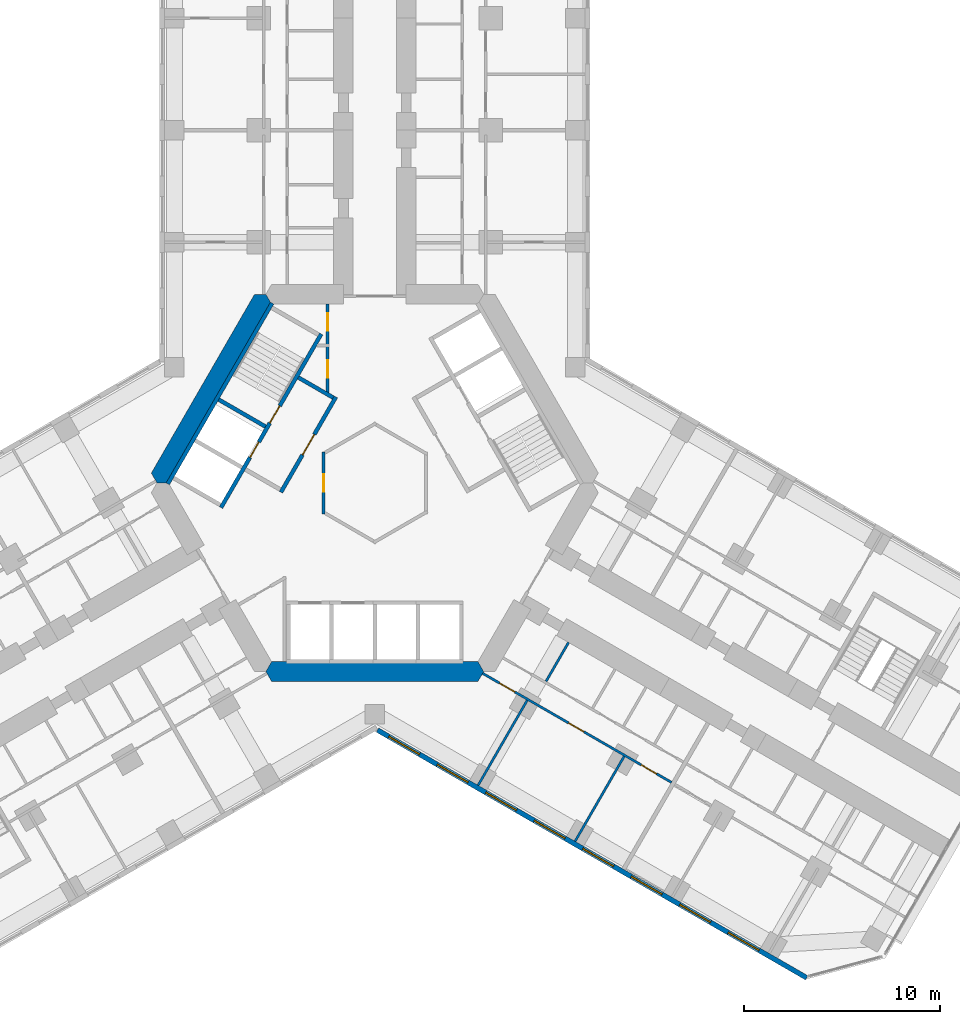
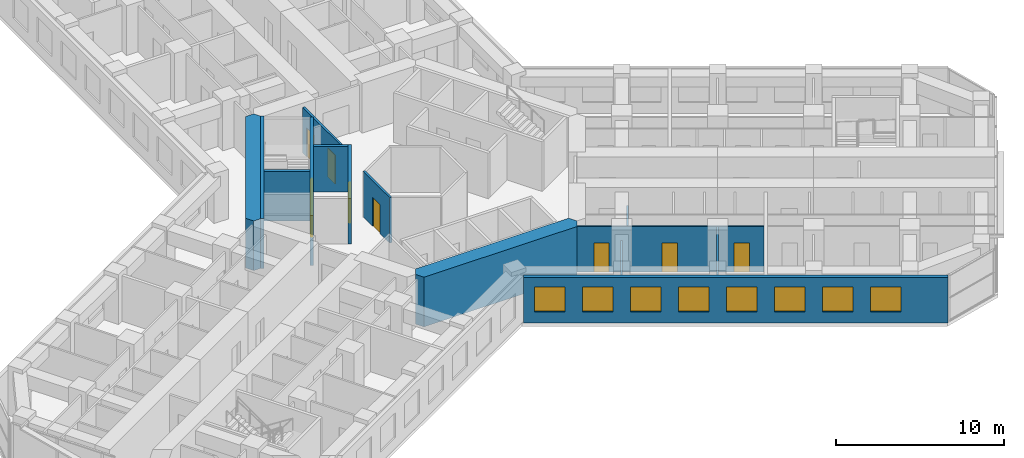
# One storey, part 13 of 21: 14 walls, 9 doors, 8 windows, 17 openings.
"""IFC4 building model written with IfcOpenShell, lengths in metres."""

from ifc_helpers import new_model, si_unit, direction, frame, frame_2d, origin, place, context, subcontext, project, spatial, polyline, rectangle, outline, extrude, material, layer, layer_set, type_object, element, fill, save


model = new_model("IFC4")

# Units and contexts
model_context = context("Model", 3, precision=1e-05, world=origin(), true_north=direction((0.0, 1.0)))
body_context = subcontext(model_context, "Body", "Model", "MODEL_VIEW")
ifc_project = project(units=[si_unit("LENGTHUNIT", "METRE"), si_unit("AREAUNIT", "SQUARE_METRE"), si_unit("VOLUMEUNIT", "CUBIC_METRE"), si_unit("PLANEANGLEUNIT", "RADIAN"), si_unit("MASSUNIT", "GRAM", prefix="KILO")], contexts=[model_context])

# Site, building, storey
site_placement = place(None, origin())
site = spatial("IfcSite", under=ifc_project, at=site_placement, CompositionType="ELEMENT")
building_placement = place(site_placement, origin())
building = spatial("IfcBuilding", under=site, at=building_placement, Name="Kosmar Iwan School Tower", CompositionType="ELEMENT")
storey_placement = place(building_placement, frame((0.0, 0.0, 109.60009765625)))
storey = spatial("IfcBuildingStorey", under=building, at=storey_placement, Name="L27", CompositionType="ELEMENT", Elevation=109.60009765625)

# Wall, openings, doors
ifc_material_1 = material(Name="Gypsum board on steel studs, fire-rated", Category="steel")
ifc_layer_1 = layer(ifc_material_1, 0.14990234375)
ifc_layer_set_1 = layer_set([ifc_layer_1], Name="Core room partition 150")
wall_type_1 = type_object("IfcWallType", Name="Core room partition 150", PredefinedType="PARTITIONING", material=ifc_layer_set_1)
wall_1_placement = place(storey_placement, frame((-2.39990234375, 9.094970703125, 0.0), z_axis=(0.0, 0.0, 1.0), x_axis=(0.0, -1.0, 0.0)))
wall_1 = element("IfcWall", 1, at=wall_1_placement, inside=storey, type_object=wall_type_1, Name="Core room partition L27-CW1", PredefinedType="PARTITIONING", context=body_context, shape_type="SweptSolid", body=[
    extrude(rectangle(XDim=4.564208984375, YDim=0.14990234375, at=frame_2d((2.2822265625, 0.0))), origin(), (0.0, 0.0, 1.0), 3.2998046875),
])
opening_1_placement = place(wall_1_placement, frame((0.455078125, 0.0, 0.0)))
opening_1 = element("IfcOpeningElement", 2, at=opening_1_placement, cuts=wall_1, Name="Opening D14", PredefinedType="OPENING", context=body_context, shape_type="SweptSolid", body=[
    extrude(rectangle(XDim=0.89990234375, YDim=2.10009765625, at=frame_2d((0.449951171875, 1.050048828125))), frame((0.0, 0.0869140625, 0.0), z_axis=(0.0, -1.0, 0.0), x_axis=(1.0, 0.0, 0.0)), (0.0, 0.0, 1.0), 0.173828125),
])
opening_2_placement = place(wall_1_placement, frame((2.85498046875, 0.0, 0.0)))
opening_2 = element("IfcOpeningElement", 3, at=opening_2_placement, cuts=wall_1, Name="Opening D14", PredefinedType="OPENING", context=body_context, shape_type="SweptSolid", body=[
    extrude(rectangle(XDim=0.89990234375, YDim=2.10009765625, at=frame_2d((0.449951171875, 1.050048828125))), frame((0.0, 0.0869140625, 0.0), z_axis=(0.0, -1.0, 0.0), x_axis=(1.0, 0.0, 0.0)), (0.0, 0.0, 1.0), 0.173828125),
])
ifc_material_2 = material(Name="Timber fire door in steel frame", Category="steel")
door_type_1 = type_object("IfcDoorType", Name="Core room door 900x2100", OperationType="SINGLE_SWING_LEFT", PredefinedType="DOOR", material=ifc_material_2)
door_1_placement = place(opening_1_placement, origin())
door_1 = element("IfcDoor", 4, at=door_1_placement, inside=storey, type_object=door_type_1, Name="Electrical riser and switch room door L27 1", OperationType="SINGLE_SWING_LEFT", OverallHeight=2.10009765625, OverallWidth=0.89990234375, PredefinedType="DOOR", context=body_context, shape_type="SweptSolid", body=[
    extrude(rectangle(XDim=0.89990234375, YDim=2.10009765625, at=frame_2d((0.449951171875, 1.050048828125))), frame((0.0, 0.02490234375, 0.0), z_axis=(0.0, -1.0, 0.0), x_axis=(1.0, 0.0, 0.0)), (0.0, 0.0, 1.0), 0.050048828125),
])
fill(opening_1, door_1)
door_2_placement = place(opening_2_placement, origin())
door_2 = element("IfcDoor", 5, at=door_2_placement, inside=storey, type_object=door_type_1, Name="Plumbing and wet riser door L27 2", OperationType="SINGLE_SWING_RIGHT", OverallHeight=2.10009765625, OverallWidth=0.89990234375, PredefinedType="DOOR", context=body_context, shape_type="SweptSolid", body=[
    extrude(rectangle(XDim=0.89990234375, YDim=2.10009765625, at=frame_2d((0.449951171875, 1.050048828125))), frame((0.0, 0.02490234375, 0.0), z_axis=(0.0, -1.0, 0.0), x_axis=(1.0, 0.0, 0.0)), (0.0, 0.0, 1.0), 0.050048828125),
])
fill(opening_2, door_2)

# Wall, opening, door
wall_2_placement = place(storey_placement, frame((-2.60009765625, -1.576171875, 0.0), z_axis=(0.0, 0.0, 1.0), x_axis=(0.0, 1.0, 0.0)))
wall_2 = element("IfcWall", 6, at=wall_2_placement, inside=storey, type_object=wall_type_1, Name="Core room partition L27-CW6", PredefinedType="PARTITIONING", context=body_context, shape_type="SweptSolid", body=[
    extrude(rectangle(XDim=3.15234375, YDim=0.14990234375, at=frame_2d((1.576171875, 0.0))), origin(), (0.0, 0.0, 1.0), 3.2998046875),
])
opening_3_placement = place(wall_2_placement, frame((1.1259765625, 0.0, 0.0)))
opening_3 = element("IfcOpeningElement", 7, at=opening_3_placement, cuts=wall_2, Name="Opening D14", PredefinedType="OPENING", context=body_context, shape_type="SweptSolid", body=[
    extrude(rectangle(XDim=0.89990234375, YDim=2.10009765625, at=frame_2d((0.449951171875, 1.050048828125))), frame((0.0, 0.0869140625, 0.0), z_axis=(0.0, -1.0, 0.0), x_axis=(1.0, 0.0, 0.0)), (0.0, 0.0, 1.0), 0.173828125),
])
door_3_placement = place(opening_3_placement, origin())
door_3 = element("IfcDoor", 8, at=door_3_placement, inside=storey, type_object=door_type_1, Name="Parcel room door L27 3", OperationType="SINGLE_SWING_RIGHT", OverallHeight=2.10009765625, OverallWidth=0.89990234375, PredefinedType="DOOR", context=body_context, shape_type="SweptSolid", body=[
    extrude(rectangle(XDim=0.89990234375, YDim=2.10009765625, at=frame_2d((0.449951171875, 1.050048828125))), frame((0.0, 0.02490234375, 0.0), z_axis=(0.0, -1.0, 0.0), x_axis=(1.0, 0.0, 0.0)), (0.0, 0.0, 1.0), 0.050048828125),
])
fill(opening_3, door_3)

# Walls
ifc_material_3 = material(Name="Concrete C50/60", Category="concrete")
ifc_layer_2 = layer(ifc_material_3, 1.0)
ifc_layer_set_2 = layer_set([ifc_layer_2], Name="Core wall 1000")
wall_type_2 = type_object("IfcWallType", Name="Core wall 1000", PredefinedType="SHEAR", material=ifc_layer_set_2)
wall_3_placement = place(storey_placement, origin())
element("IfcWall", 9, at=wall_3_placement, inside=storey, type_object=wall_type_2, Name="Core wall F150", PredefinedType="SHEAR", context=body_context, shape_type="SweptSolid", body=[
    extrude(outline(polyline([(-11.085205078125, 0.0), (-10.5078125, 0.0), (-5.25390625, 9.10009765625), (-5.54248046875, 9.60009765625), (-6.119873046875, 9.60009765625), (-11.373779296875, 0.5), (-11.085205078125, 0.0)])), origin(), (0.0, 0.0, 1.0), 3.599853515625),
])
wall_4_placement = place(storey_placement, origin())
element("IfcWall", 10, at=wall_4_placement, inside=storey, type_object=wall_type_2, Name="Core wall F270", PredefinedType="SHEAR", context=body_context, shape_type="SweptSolid", body=[
    extrude(outline(polyline([(-5.25390625, -10.10009765625), (5.25390625, -10.10009765625), (5.54248046875, -9.60009765625), (5.25390625, -9.10009765625), (-5.25390625, -9.10009765625), (-5.54248046875, -9.60009765625), (-5.25390625, -10.10009765625)])), origin(), (0.0, 0.0, 1.0), 3.599853515625),
])

# Wall, openings, doors
ifc_material_4 = material(Name="Gypsum board on steel studs", Category="steel")
ifc_layer_3 = layer(ifc_material_4, 0.1201171875)
ifc_layer_set_3 = layer_set([ifc_layer_3], Name="Dwelling partition 120")
wall_type_3 = type_object("IfcWallType", Name="Dwelling partition 120", PredefinedType="PARTITIONING", material=ifc_layer_set_3)
wall_5_placement = place(storey_placement, frame((5.48876953125, -9.693115234375, 0.0), z_axis=(0.0, 0.0, 1.0), x_axis=(0.866026992824, -0.499997247692, 0.0)))
wall_5 = element("IfcWall", 11, at=wall_5_placement, inside=storey, type_object=wall_type_3, Name="Partition L27-CR1-W2", PredefinedType="PARTITIONING", context=body_context, shape_type="SweptSolid", body=[
    extrude(rectangle(XDim=11.10009765625, YDim=0.1201171875, at=frame_2d((5.550048828125, 0.0))), origin(), (0.0, 0.0, 1.0), 3.2998046875),
])
opening_4_placement = place(wall_5_placement, frame((1.0, 0.0, 0.0)))
opening_4 = element("IfcOpeningElement", 12, at=opening_4_placement, cuts=wall_5, Name="Opening D2", PredefinedType="OPENING", context=body_context, shape_type="SweptSolid", body=[
    extrude(rectangle(XDim=0.89990234375, YDim=2.10009765625, at=frame_2d((0.449951171875, 1.050048828125))), frame((0.0, 0.072021484375, 0.0), z_axis=(0.0, -1.0, 0.0), x_axis=(1.0, 0.0, 0.0)), (0.0, 0.0, 1.0), 0.14404296875),
])
opening_5_placement = place(wall_5_placement, frame((5.050048828125, 0.0, 0.0)))
opening_5 = element("IfcOpeningElement", 13, at=opening_5_placement, cuts=wall_5, Name="Opening D2", PredefinedType="OPENING", context=body_context, shape_type="SweptSolid", body=[
    extrude(rectangle(XDim=0.89990234375, YDim=2.10009765625, at=frame_2d((0.449951171875, 1.050048828125))), frame((0.0, 0.072021484375, 0.0), z_axis=(0.0, -1.0, 0.0), x_axis=(1.0, 0.0, 0.0)), (0.0, 0.0, 1.0), 0.14404296875),
])
opening_6_placement = place(wall_5_placement, frame((9.324951171875, 0.0, 0.0)))
opening_6 = element("IfcOpeningElement", 14, at=opening_6_placement, cuts=wall_5, Name="Opening D2", PredefinedType="OPENING", context=body_context, shape_type="SweptSolid", body=[
    extrude(rectangle(XDim=0.89990234375, YDim=2.10009765625, at=frame_2d((0.449951171875, 1.050048828125))), frame((0.0, 0.072021484375, 0.0), z_axis=(0.0, -1.0, 0.0), x_axis=(1.0, 0.0, 0.0)), (0.0, 0.0, 1.0), 0.14404296875),
])
ifc_material_5 = material(Name="Timber door in timber frame", Category="wood")
door_type_2 = type_object("IfcDoorType", Name="Internal door 900x2100", OperationType="SINGLE_SWING_LEFT", PredefinedType="DOOR", material=ifc_material_5)
door_4_placement = place(opening_4_placement, origin())
door_4 = element("IfcDoor", 15, at=door_4_placement, inside=storey, type_object=door_type_2, Name="Bedroom 1 door L27-CR1-F1", OperationType="SINGLE_SWING_LEFT", OverallHeight=2.10009765625, OverallWidth=0.89990234375, PredefinedType="DOOR", context=body_context, shape_type="SweptSolid", body=[
    extrude(rectangle(XDim=0.89990234375, YDim=2.10009765625, at=frame_2d((0.449951171875, 1.050048828125))), frame((0.0, 0.02490234375, 0.0), z_axis=(0.0, -1.0, 0.0), x_axis=(1.0, 0.0, 0.0)), (0.0, 0.0, 1.0), 0.050048828125),
])
fill(opening_4, door_4)
door_5_placement = place(opening_5_placement, origin())
door_5 = element("IfcDoor", 16, at=door_5_placement, inside=storey, type_object=door_type_2, Name="Living room and kitchen door L27-CR1-F2", OperationType="SINGLE_SWING_LEFT", OverallHeight=2.10009765625, OverallWidth=0.89990234375, PredefinedType="DOOR", context=body_context, shape_type="SweptSolid", body=[
    extrude(rectangle(XDim=0.89990234375, YDim=2.10009765625, at=frame_2d((0.449951171875, 1.050048828125))), frame((0.0, 0.02490234375, 0.0), z_axis=(0.0, -1.0, 0.0), x_axis=(1.0, 0.0, 0.0)), (0.0, 0.0, 1.0), 0.050048828125),
])
fill(opening_5, door_5)
door_6_placement = place(opening_6_placement, origin())
door_6 = element("IfcDoor", 17, at=door_6_placement, inside=storey, type_object=door_type_2, Name="Study door L27-CR1-F3", OperationType="SINGLE_SWING_RIGHT", OverallHeight=2.10009765625, OverallWidth=0.89990234375, PredefinedType="DOOR", context=body_context, shape_type="SweptSolid", body=[
    extrude(rectangle(XDim=0.89990234375, YDim=2.10009765625, at=frame_2d((0.449951171875, 1.050048828125))), frame((0.0, 0.02490234375, 0.0), z_axis=(0.0, -1.0, 0.0), x_axis=(1.0, 0.0, 0.0)), (0.0, 0.0, 1.0), 0.050048828125),
])
fill(opening_6, door_6)

# Walls
wall_6_placement = place(storey_placement, frame((7.75390625, -11.070068359375, 0.0), z_axis=(0.0, 0.0, 1.0), x_axis=(-0.500033033937, -0.866006330792, 0.0)))
element("IfcWall", 18, at=wall_6_placement, inside=storey, type_object=wall_type_3, Name="Partition L27-CR1-X1", PredefinedType="PARTITIONING", context=body_context, shape_type="SweptSolid", body=[
    extrude(rectangle(XDim=4.989990234375, YDim=0.1201171875, at=frame_2d((2.4951171875, 0.0))), origin(), (0.0, 0.0, 1.0), 2.2998046875),
])
wall_7_placement = place(storey_placement, frame((12.690185546875, -13.919921875, 0.0), z_axis=(0.0, 0.0, 1.0), x_axis=(-0.500011847778, -0.866018563358, 0.0)))
element("IfcWall", 19, at=wall_7_placement, inside=storey, type_object=wall_type_3, Name="Partition L27-CR1-X2", PredefinedType="PARTITIONING", context=body_context, shape_type="SweptSolid", body=[
    extrude(rectangle(XDim=4.990234375, YDim=0.1201171875, at=frame_2d((2.4951171875, 0.0))), origin(), (0.0, 0.0, 1.0), 3.2998046875),
])
wall_8_placement = place(storey_placement, frame((9.86181640625, -8.11865234375, 0.0), z_axis=(0.0, 0.0, 1.0), x_axis=(-0.500014693593, -0.866016920268, 0.0)))
element("IfcWall", 20, at=wall_8_placement, inside=storey, type_object=wall_type_3, Name="Partition L27-CR1-Y1", PredefinedType="PARTITIONING", context=body_context, shape_type="SweptSolid", body=[
    extrude(rectangle(XDim=2.2900390625, YDim=0.1201171875, at=frame_2d((1.14501953125, 0.0))), origin(), (0.0, 0.0, 1.0), 2.2998046875),
])

# Wall, openings, windows
ifc_material_6 = material(Name="Black aluminium rainscreen on insulated framing", Category="aluminium")
ifc_layer_4 = layer(ifc_material_6, 0.25)
ifc_layer_set_4 = layer_set([ifc_layer_4], Name="External wall rainscreen 250")
wall_type_4 = type_object("IfcWallType", Name="External wall rainscreen 250", PredefinedType="SOLIDWALL", material=ifc_layer_set_4)
wall_9_placement = place(storey_placement, frame((0.137939453125, -12.5791015625, 0.0), z_axis=(0.0, 0.0, 1.0), x_axis=(0.866023775649, -0.500002820003, 0.0)))
wall_9 = element("IfcWall", 21, at=wall_9_placement, inside=storey, type_object=wall_type_4, Name="External wall CR L27", PredefinedType="SOLIDWALL", context=body_context, shape_type="SweptSolid", body=[
    extrude(rectangle(XDim=25.226318359375, YDim=0.25, at=frame_2d((12.61328125, 0.0))), origin(), (0.0, 0.0, 1.0), 3.2998046875),
])
opening_7_placement = place(wall_9_placement, frame((0.666015625, 0.0, 0.800048828125)))
opening_7 = element("IfcOpeningElement", 22, at=opening_7_placement, cuts=wall_9, Name="Opening W1", PredefinedType="OPENING", context=body_context, shape_type="SweptSolid", body=[
    extrude(rectangle(XDim=1.800048828125, YDim=1.800048828125, at=frame_2d((0.89990234375, 0.89990234375))), frame((0.0, 0.136962890625, 0.0), z_axis=(0.0, -1.0, 0.0), x_axis=(1.0, 0.0, 0.0)), (0.0, 0.0, 1.0), 0.27392578125),
])
opening_8_placement = place(wall_9_placement, frame((3.51611328125, 0.0, 0.800048828125)))
opening_8 = element("IfcOpeningElement", 23, at=opening_8_placement, cuts=wall_9, Name="Opening W1", PredefinedType="OPENING", context=body_context, shape_type="SweptSolid", body=[
    extrude(rectangle(XDim=1.800048828125, YDim=1.800048828125, at=frame_2d((0.89990234375, 0.89990234375))), frame((0.0, 0.136962890625, 0.0), z_axis=(0.0, -1.0, 0.0), x_axis=(1.0, 0.0, 0.0)), (0.0, 0.0, 1.0), 0.27392578125),
])
opening_9_placement = place(wall_9_placement, frame((6.365966796875, 0.0, 0.800048828125)))
opening_9 = element("IfcOpeningElement", 24, at=opening_9_placement, cuts=wall_9, Name="Opening W1", PredefinedType="OPENING", context=body_context, shape_type="SweptSolid", body=[
    extrude(rectangle(XDim=1.800048828125, YDim=1.800048828125, at=frame_2d((0.89990234375, 0.89990234375))), frame((0.0, 0.136962890625, 0.0), z_axis=(0.0, -1.0, 0.0), x_axis=(1.0, 0.0, 0.0)), (0.0, 0.0, 1.0), 0.27392578125),
])
opening_10_placement = place(wall_9_placement, frame((9.216064453125, 0.0, 0.800048828125)))
opening_10 = element("IfcOpeningElement", 25, at=opening_10_placement, cuts=wall_9, Name="Opening W1", PredefinedType="OPENING", context=body_context, shape_type="SweptSolid", body=[
    extrude(rectangle(XDim=1.800048828125, YDim=1.800048828125, at=frame_2d((0.89990234375, 0.89990234375))), frame((0.0, 0.136962890625, 0.0), z_axis=(0.0, -1.0, 0.0), x_axis=(1.0, 0.0, 0.0)), (0.0, 0.0, 1.0), 0.27392578125),
])
opening_11_placement = place(wall_9_placement, frame((12.06591796875, 0.0, 0.800048828125)))
opening_11 = element("IfcOpeningElement", 26, at=opening_11_placement, cuts=wall_9, Name="Opening W1", PredefinedType="OPENING", context=body_context, shape_type="SweptSolid", body=[
    extrude(rectangle(XDim=1.800048828125, YDim=1.800048828125, at=frame_2d((0.89990234375, 0.89990234375))), frame((0.0, 0.136962890625, 0.0), z_axis=(0.0, -1.0, 0.0), x_axis=(1.0, 0.0, 0.0)), (0.0, 0.0, 1.0), 0.27392578125),
])
opening_12_placement = place(wall_9_placement, frame((14.916015625, 0.0, 0.800048828125)))
opening_12 = element("IfcOpeningElement", 27, at=opening_12_placement, cuts=wall_9, Name="Opening W1", PredefinedType="OPENING", context=body_context, shape_type="SweptSolid", body=[
    extrude(rectangle(XDim=1.800048828125, YDim=1.800048828125, at=frame_2d((0.89990234375, 0.89990234375))), frame((0.0, 0.136962890625, 0.0), z_axis=(0.0, -1.0, 0.0), x_axis=(1.0, 0.0, 0.0)), (0.0, 0.0, 1.0), 0.27392578125),
])
opening_13_placement = place(wall_9_placement, frame((17.76611328125, 0.0, 0.800048828125)))
opening_13 = element("IfcOpeningElement", 28, at=opening_13_placement, cuts=wall_9, Name="Opening W1", PredefinedType="OPENING", context=body_context, shape_type="SweptSolid", body=[
    extrude(rectangle(XDim=1.800048828125, YDim=1.800048828125, at=frame_2d((0.89990234375, 0.89990234375))), frame((0.0, 0.136962890625, 0.0), z_axis=(0.0, -1.0, 0.0), x_axis=(1.0, 0.0, 0.0)), (0.0, 0.0, 1.0), 0.27392578125),
])
opening_14_placement = place(wall_9_placement, frame((20.615966796875, 0.0, 0.800048828125)))
opening_14 = element("IfcOpeningElement", 29, at=opening_14_placement, cuts=wall_9, Name="Opening W1", PredefinedType="OPENING", context=body_context, shape_type="SweptSolid", body=[
    extrude(rectangle(XDim=1.800048828125, YDim=1.800048828125, at=frame_2d((0.89990234375, 0.89990234375))), frame((0.0, 0.136962890625, 0.0), z_axis=(0.0, -1.0, 0.0), x_axis=(1.0, 0.0, 0.0)), (0.0, 0.0, 1.0), 0.27392578125),
])
ifc_material_7 = material(Name="Black aluminium frame with dark triple glazing", Category="aluminium")
window_type = type_object("IfcWindowType", Name="Window 1800x1800", PartitioningType="SINGLE_PANEL", PredefinedType="WINDOW", material=ifc_material_7)
window_1_placement = place(opening_7_placement, origin())
window_1 = element("IfcWindow", 30, at=window_1_placement, inside=storey, type_object=window_type, Name="Window CR L27 -1", OverallHeight=1.800048828125, OverallWidth=1.800048828125, PartitioningType="SINGLE_PANEL", PredefinedType="WINDOW", context=body_context, shape_type="SweptSolid", body=[
    extrude(rectangle(XDim=1.800048828125, YDim=1.800048828125, at=frame_2d((0.89990234375, 0.89990234375))), frame((0.0, 0.030029296875, 0.0), z_axis=(0.0, -1.0, 0.0), x_axis=(1.0, 0.0, 0.0)), (0.0, 0.0, 1.0), 0.06005859375),
])
fill(opening_7, window_1)
window_2_placement = place(opening_8_placement, origin())
window_2 = element("IfcWindow", 31, at=window_2_placement, inside=storey, type_object=window_type, Name="Window CR L27 0", OverallHeight=1.800048828125, OverallWidth=1.800048828125, PartitioningType="SINGLE_PANEL", PredefinedType="WINDOW", context=body_context, shape_type="SweptSolid", body=[
    extrude(rectangle(XDim=1.800048828125, YDim=1.800048828125, at=frame_2d((0.89990234375, 0.89990234375))), frame((0.0, 0.030029296875, 0.0), z_axis=(0.0, -1.0, 0.0), x_axis=(1.0, 0.0, 0.0)), (0.0, 0.0, 1.0), 0.06005859375),
])
fill(opening_8, window_2)
window_3_placement = place(opening_9_placement, origin())
window_3 = element("IfcWindow", 32, at=window_3_placement, inside=storey, type_object=window_type, Name="Window CR L27 1", OverallHeight=1.800048828125, OverallWidth=1.800048828125, PartitioningType="SINGLE_PANEL", PredefinedType="WINDOW", context=body_context, shape_type="SweptSolid", body=[
    extrude(rectangle(XDim=1.800048828125, YDim=1.800048828125, at=frame_2d((0.89990234375, 0.89990234375))), frame((0.0, 0.030029296875, 0.0), z_axis=(0.0, -1.0, 0.0), x_axis=(1.0, 0.0, 0.0)), (0.0, 0.0, 1.0), 0.06005859375),
])
fill(opening_9, window_3)
window_4_placement = place(opening_10_placement, origin())
window_4 = element("IfcWindow", 33, at=window_4_placement, inside=storey, type_object=window_type, Name="Window CR L27 2", OverallHeight=1.800048828125, OverallWidth=1.800048828125, PartitioningType="SINGLE_PANEL", PredefinedType="WINDOW", context=body_context, shape_type="SweptSolid", body=[
    extrude(rectangle(XDim=1.800048828125, YDim=1.800048828125, at=frame_2d((0.89990234375, 0.89990234375))), frame((0.0, 0.030029296875, 0.0), z_axis=(0.0, -1.0, 0.0), x_axis=(1.0, 0.0, 0.0)), (0.0, 0.0, 1.0), 0.06005859375),
])
fill(opening_10, window_4)
window_5_placement = place(opening_11_placement, origin())
window_5 = element("IfcWindow", 34, at=window_5_placement, inside=storey, type_object=window_type, Name="Window CR L27 3", OverallHeight=1.800048828125, OverallWidth=1.800048828125, PartitioningType="SINGLE_PANEL", PredefinedType="WINDOW", context=body_context, shape_type="SweptSolid", body=[
    extrude(rectangle(XDim=1.800048828125, YDim=1.800048828125, at=frame_2d((0.89990234375, 0.89990234375))), frame((0.0, 0.030029296875, 0.0), z_axis=(0.0, -1.0, 0.0), x_axis=(1.0, 0.0, 0.0)), (0.0, 0.0, 1.0), 0.06005859375),
])
fill(opening_11, window_5)
window_6_placement = place(opening_12_placement, origin())
window_6 = element("IfcWindow", 35, at=window_6_placement, inside=storey, type_object=window_type, Name="Window CR L27 4", OverallHeight=1.800048828125, OverallWidth=1.800048828125, PartitioningType="SINGLE_PANEL", PredefinedType="WINDOW", context=body_context, shape_type="SweptSolid", body=[
    extrude(rectangle(XDim=1.800048828125, YDim=1.800048828125, at=frame_2d((0.89990234375, 0.89990234375))), frame((0.0, 0.030029296875, 0.0), z_axis=(0.0, -1.0, 0.0), x_axis=(1.0, 0.0, 0.0)), (0.0, 0.0, 1.0), 0.06005859375),
])
fill(opening_12, window_6)
window_7_placement = place(opening_13_placement, origin())
window_7 = element("IfcWindow", 36, at=window_7_placement, inside=storey, type_object=window_type, Name="Window CR L27 5", OverallHeight=1.800048828125, OverallWidth=1.800048828125, PartitioningType="SINGLE_PANEL", PredefinedType="WINDOW", context=body_context, shape_type="SweptSolid", body=[
    extrude(rectangle(XDim=1.800048828125, YDim=1.800048828125, at=frame_2d((0.89990234375, 0.89990234375))), frame((0.0, 0.030029296875, 0.0), z_axis=(0.0, -1.0, 0.0), x_axis=(1.0, 0.0, 0.0)), (0.0, 0.0, 1.0), 0.06005859375),
])
fill(opening_13, window_7)
window_8_placement = place(opening_14_placement, origin())
window_8 = element("IfcWindow", 37, at=window_8_placement, inside=storey, type_object=window_type, Name="Window CR L27 6", OverallHeight=1.800048828125, OverallWidth=1.800048828125, PartitioningType="SINGLE_PANEL", PredefinedType="WINDOW", context=body_context, shape_type="SweptSolid", body=[
    extrude(rectangle(XDim=1.800048828125, YDim=1.800048828125, at=frame_2d((0.89990234375, 0.89990234375))), frame((0.0, 0.030029296875, 0.0), z_axis=(0.0, -1.0, 0.0), x_axis=(1.0, 0.0, 0.0)), (0.0, 0.0, 1.0), 0.06005859375),
])
fill(opening_14, window_8)

# Wall, opening, door
ifc_material_8 = material(Name="Concrete block masonry", Category="masonry")
ifc_layer_5 = layer(ifc_material_8, 0.199951171875)
ifc_layer_set_5 = layer_set([ifc_layer_5], Name="Fire lobby wall 200")
wall_type_5 = type_object("IfcWallType", Name="Fire lobby wall 200", PredefinedType="PARTITIONING", material=ifc_layer_set_5)
wall_10_placement = place(storey_placement, frame((-1.9775390625, 4.374755859375, 0.0), z_axis=(0.0, 0.0, 1.0), x_axis=(-0.500016814911, -0.866015695474, 0.0)))
wall_10 = element("IfcWall", 38, at=wall_10_placement, inside=storey, type_object=wall_type_5, Name="Firefighting lobby wall ST2", PredefinedType="PARTITIONING", context=body_context, shape_type="SweptSolid", body=[
    extrude(rectangle(XDim=5.599853515625, YDim=0.199951171875, at=frame_2d((2.7998046875, 0.0))), origin(), (0.0, 0.0, 1.0), 3.2998046875),
])
opening_15_placement = place(wall_10_placement, frame((2.199951171875, 0.0, 0.0)))
opening_15 = element("IfcOpeningElement", 39, at=opening_15_placement, cuts=wall_10, Name="Opening D7", PredefinedType="OPENING", context=body_context, shape_type="SweptSolid", body=[
    extrude(rectangle(XDim=1.199951171875, YDim=2.10009765625, at=frame_2d((0.60009765625, 1.050048828125))), frame((0.0, 0.112060546875, 0.0), z_axis=(0.0, -1.0, 0.0), x_axis=(1.0, 0.0, 0.0)), (0.0, 0.0, 1.0), 0.223876953125),
])
ifc_material_9 = material(Name="Steel fire door", Category="steel")
door_type_3 = type_object("IfcDoorType", Name="Fire lobby door 1200x2100", OperationType="SINGLE_SWING_LEFT", PredefinedType="DOOR", material=ifc_material_9)
door_7_placement = place(opening_15_placement, frame((1.199951171875, 0.0, 0.0), z_axis=(0.0, 0.0, 1.0), x_axis=(-1.0, 0.0, 0.0)))
door_7 = element("IfcDoor", 40, at=door_7_placement, inside=storey, type_object=door_type_3, Name="Firefighting lobby door ST2 L27", OperationType="SINGLE_SWING_LEFT", OverallHeight=2.10009765625, OverallWidth=1.199951171875, PredefinedType="DOOR", context=body_context, shape_type="SweptSolid", body=[
    extrude(rectangle(XDim=1.199951171875, YDim=2.10009765625, at=frame_2d((0.60009765625, 1.050048828125))), frame((0.0, 0.02490234375, 0.0), z_axis=(0.0, -1.0, 0.0), x_axis=(1.0, 0.0, 0.0)), (0.0, 0.0, 1.0), 0.050048828125),
])
fill(opening_15, door_7)

# Wall
wall_11_placement = place(storey_placement, frame((-2.114013671875, 4.33837890625, 0.0), z_axis=(0.0, 0.0, 1.0), x_axis=(-0.866050731258, 0.499956128963, 0.0)))
element("IfcWall", 41, at=wall_11_placement, inside=storey, type_object=wall_type_5, Name="Firefighting lobby wall ST2", PredefinedType="PARTITIONING", context=body_context, shape_type="SweptSolid", body=[
    extrude(rectangle(XDim=2.050048828125, YDim=0.199951171875, at=frame_2d((1.02490234375, 0.0))), origin(), (0.0, 0.0, 1.0), 3.2998046875),
])

# Wall, openings, doors
ifc_material_10 = material(Name="Concrete C50/60", Category="concrete")
ifc_layer_6 = layer(ifc_material_10, 0.199951171875)
ifc_layer_set_6 = layer_set([ifc_layer_6], Name="Lift shaft wall 200")
wall_type_6 = type_object("IfcWallType", Name="Lift shaft wall 200", PredefinedType="SHEAR", material=ifc_layer_set_6)
wall_12_placement = place(storey_placement, frame((-2.72607421875, 7.578369140625, 0.0), z_axis=(0.0, 0.0, 1.0), x_axis=(-0.500005610874, -0.86602216432, 0.0)))
wall_12 = element("IfcWall", 42, at=wall_12_placement, inside=storey, type_object=wall_type_6, Name="Lift and stair front wall AB", PredefinedType="SHEAR", context=body_context, shape_type="SweptSolid", body=[
    extrude(rectangle(XDim=10.2001953125, YDim=0.199951171875, at=frame_2d((5.10009765625, 0.0))), origin(), (0.0, 0.0, 1.0), 3.599853515625),
])
opening_16_placement = place(wall_12_placement, frame((6.35009765625, 0.0, 0.0)))
opening_16 = element("IfcOpeningElement", 43, at=opening_16_placement, cuts=wall_12, Name="Opening LD2", PredefinedType="OPENING", context=body_context, shape_type="SweptSolid", body=[
    extrude(rectangle(XDim=0.89990234375, YDim=2.10009765625, at=frame_2d((0.449951171875, 1.050048828125))), frame((0.0, 0.112060546875, 0.0), z_axis=(0.0, -1.0, 0.0), x_axis=(1.0, 0.0, 0.0)), (0.0, 0.0, 1.0), 0.223876953125),
])
opening_17_placement = place(wall_12_placement, frame((4.22998046875, 0.0, 0.0)))
opening_17 = element("IfcOpeningElement", 44, at=opening_17_placement, cuts=wall_12, Name="Opening D6", PredefinedType="OPENING", context=body_context, shape_type="SweptSolid", body=[
    extrude(rectangle(XDim=1.0, YDim=2.10009765625, at=frame_2d((0.5, 1.050048828125))), frame((0.0, 0.112060546875, 0.0), z_axis=(0.0, -1.0, 0.0), x_axis=(1.0, 0.0, 0.0)), (0.0, 0.0, 1.0), 0.223876953125),
])
ifc_material_11 = material(Name="Stainless steel sliding lift door", Category="steel")
door_type_4 = type_object("IfcDoorType", Name="Firefighting lift landing door 900x2100", OperationType="SLIDING_TO_LEFT", PredefinedType="DOOR", material=ifc_material_11)
door_8_placement = place(opening_16_placement, origin())
door_8 = element("IfcDoor", 45, at=door_8_placement, inside=storey, type_object=door_type_4, Name="Lift FF2 landing door L27", OperationType="SLIDING_TO_LEFT", OverallHeight=2.10009765625, OverallWidth=0.89990234375, PredefinedType="DOOR", context=body_context, shape_type="SweptSolid", body=[
    extrude(rectangle(XDim=0.89990234375, YDim=2.10009765625, at=frame_2d((0.449951171875, 1.050048828125))), frame((0.0, 0.02490234375, 0.0), z_axis=(0.0, -1.0, 0.0), x_axis=(1.0, 0.0, 0.0)), (0.0, 0.0, 1.0), 0.050048828125),
])
fill(opening_16, door_8)
ifc_material_12 = material(Name="Steel fire door", Category="steel")
door_type_5 = type_object("IfcDoorType", Name="Stair door 1000x2100", OperationType="SINGLE_SWING_LEFT", PredefinedType="DOOR", material=ifc_material_12)
door_9_placement = place(opening_17_placement, origin())
door_9 = element("IfcDoor", 46, at=door_9_placement, inside=storey, type_object=door_type_5, Name="Stair ST2 door L27", OperationType="SINGLE_SWING_LEFT", OverallHeight=2.10009765625, OverallWidth=1.0, PredefinedType="DOOR", context=body_context, shape_type="SweptSolid", body=[
    extrude(rectangle(XDim=1.0, YDim=2.10009765625, at=frame_2d((0.5, 1.050048828125))), frame((0.0, 0.02490234375, 0.0), z_axis=(0.0, -1.0, 0.0), x_axis=(1.0, 0.0, 0.0)), (0.0, 0.0, 1.0), 0.050048828125),
])
fill(opening_17, door_9)

# Walls
wall_13_placement = place(storey_placement, frame((-5.22509765625, 9.14990234375, 0.0), z_axis=(0.0, 0.0, 1.0), x_axis=(-0.499994998079, -0.866028291626, 0.0)))
element("IfcWall", 47, at=wall_13_placement, inside=storey, type_object=wall_type_6, Name="Lift and stair back wall AB", PredefinedType="SHEAR", context=body_context, shape_type="SweptSolid", body=[
    extrude(rectangle(XDim=10.623046875, YDim=0.199951171875, at=frame_2d((5.3115234375, 0.0))), origin(), (0.0, 0.0, 1.0), 3.599853515625),
])
ifc_material_13 = material(Name="Concrete C50/60", Category="concrete")
ifc_layer_7 = layer(ifc_material_13, 0.199951171875)
ifc_layer_set_7 = layer_set([ifc_layer_7], Name="Stair enclosure wall 200")
wall_type_7 = type_object("IfcWallType", Name="Stair enclosure wall 200", PredefinedType="SHEAR", material=ifc_layer_set_7)
wall_14_placement = place(storey_placement, frame((-5.562744140625, 2.865234375, 0.0), z_axis=(0.0, 0.0, 1.0), x_axis=(-0.866027397988, 0.499996545922, 0.0)))
element("IfcWall", 48, at=wall_14_placement, inside=storey, type_object=wall_type_7, Name="Stair ST2 wall", PredefinedType="SHEAR", context=body_context, shape_type="SweptSolid", body=[
    extrude(rectangle(XDim=2.75, YDim=0.199951171875, at=frame_2d((1.375, 0.0))), origin(), (0.0, 0.0, 1.0), 3.599853515625),
])

save(model, "model.ifc")
